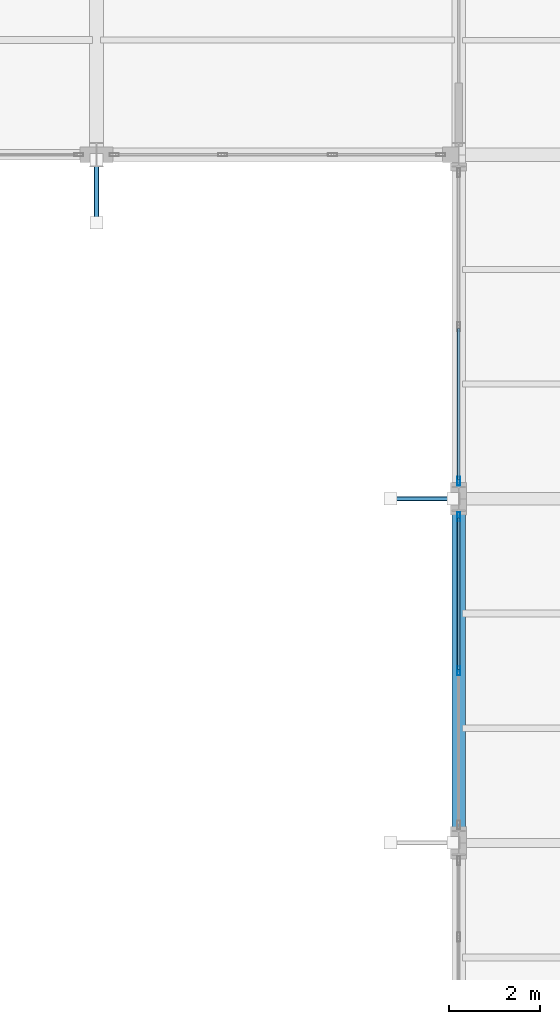
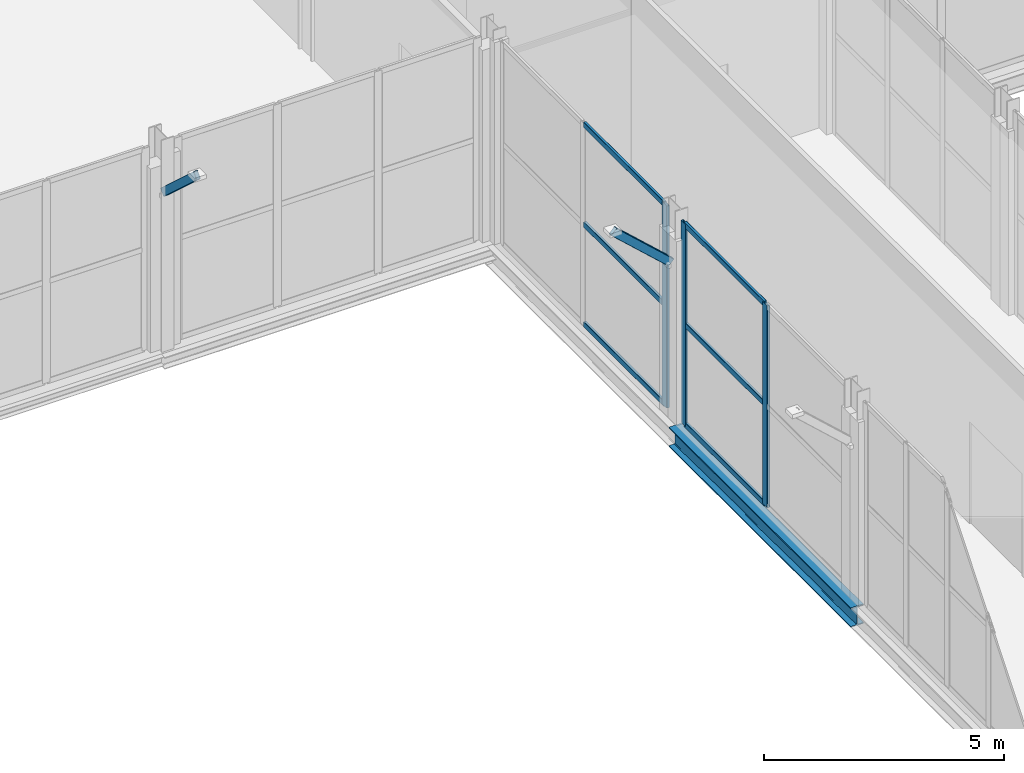
# One storey, part 68 of 147: 11 members, 1 beam, 2 elements without a shape of their own.
"""IFC4 building model written with IfcOpenShell, lengths in metres."""

from ifc_helpers import new_model, si_unit, direction, frame, origin, origin_2d, place, context, subcontext, project, spatial, hollow_rectangle, i_section, extrude, material, layer, layer_set, material_profile, profile_set, type_object, element, aggregate, save


model = new_model("IFC4")

# Units and contexts
model_context = context("Model", 3, precision=1e-05, world=origin(), true_north=direction((0.0, 1.0)))
body_context = subcontext(model_context, "Body", "Model", "MODEL_VIEW")
ifc_project = project(units=[si_unit("LENGTHUNIT", "METRE"), si_unit("AREAUNIT", "SQUARE_METRE"), si_unit("VOLUMEUNIT", "CUBIC_METRE"), si_unit("PLANEANGLEUNIT", "RADIAN"), si_unit("MASSUNIT", "GRAM", prefix="KILO")], contexts=[model_context])

# Site, building, storey
site_placement = place(None, origin())
site = spatial("IfcSite", under=ifc_project, at=site_placement, CompositionType="ELEMENT")
building_placement = place(site_placement, origin())
building = spatial("IfcBuilding", under=site, at=building_placement, Name="Vekula Escarpment Museum", CompositionType="ELEMENT")
storey_placement = place(building_placement, frame((0.0, 0.0, 7.800048828125)))
storey = spatial("IfcBuildingStorey", under=building, at=storey_placement, Name="L02", CompositionType="ELEMENT", Elevation=7.800048828125)

# Beam
ifc_material_1 = material(Name="Steel S355", Category="steel")
ifc_material_profile_1 = material_profile(ifc_material_1, i_section(OverallWidth=0.300048828125, OverallDepth=0.5, WebThickness=0.014404296875, FlangeThickness=0.028076171875, FilletRadius=0.027099609375, at=origin_2d()), Name="HEB 500")
ifc_profile_set_1 = profile_set([ifc_material_profile_1], Name="Steel S355")
beam_type = type_object("IfcBeamType", Name="BM-GIRD-HEB500", PredefinedType="BEAM", material=ifc_profile_set_1)
beam_placement = place(storey_placement, frame((94.0, 105.60009765625, -0.510009765625), z_axis=(0.0, 1.0, 0.0), x_axis=(-1.0, 0.0, 0.0)))
element("IfcBeam", 1, at=beam_placement, inside=storey, type_object=beam_type, Name="Beam Y L02 1164", PredefinedType="BEAM", context=body_context, shape_type="SweptSolid", body=[
    extrude(i_section(OverallWidth=0.300048828125, OverallDepth=0.5, WebThickness=0.014404296875, FlangeThickness=0.028076171875, FilletRadius=0.027099609375, at=origin_2d()), origin(), (0.0, 0.0, 1.0), 7.599853515625),
])

# Curtain wall, member
ifc_material_2 = material(Name="Aluminium thermally broken framing", Category="aluminium")
ifc_layer_1 = layer(ifc_material_2, 0.179931640625)
ifc_layer_set_1 = layer_set([ifc_layer_1], Name="Aluminium thermally broken framing")
curtain_wall_type_1 = type_object("IfcCurtainWallType", Name="CW-SYS-07", PredefinedType="NOTDEFINED", material=ifc_layer_set_1)
curtain_wall_1_placement = place(storey_placement, origin())
curtain_wall_1 = element("IfcCurtainWall", 2, at=curtain_wall_1_placement, inside=storey, type_object=curtain_wall_type_1, Name="Curtain Wall CW-L02-087", PredefinedType="NOTDEFINED")
ifc_material_3 = material(Name="Aluminium anodized mullion", Category="aluminium")
ifc_material_profile_2 = material_profile(ifc_material_3, hollow_rectangle(XDim=0.06494140625, YDim=0.199951171875, WallThickness=0.00390625, InnerFilletRadius=0.00390625, OuterFilletRadius=0.008056640625, at=origin_2d()), Name="ALU 200x65x4")
ifc_profile_set_2 = profile_set([ifc_material_profile_2], Name="Aluminium anodized mullion")
member_type_1 = type_object("IfcMemberType", Name="CW-MUL-200", PredefinedType="MULLION", material=ifc_profile_set_2)
member_1_placement = place(storey_placement, frame((94.0, 113.592529296875, 0.0), z_axis=(0.0, 0.0, 1.0), x_axis=(1.0, 0.0, 0.0)))
member_1 = element("IfcMember", 3, at=member_1_placement, type_object=member_type_1, Name="CW-07 mullion 3", PredefinedType="MULLION", context=body_context, shape_type="SweptSolid", body=[
    extrude(hollow_rectangle(XDim=0.06494140625, YDim=0.199951171875, WallThickness=0.00390625, InnerFilletRadius=0.00390625, OuterFilletRadius=0.008056640625, at=origin_2d()), origin(), (0.0, 0.0, 1.0), 5.14990234375),
])

# Curtain wall, members
ifc_material_4 = material(Name="Aluminium thermally broken framing", Category="aluminium")
ifc_layer_2 = layer(ifc_material_4, 0.179931640625)
ifc_layer_set_2 = layer_set([ifc_layer_2], Name="Aluminium thermally broken framing")
curtain_wall_type_2 = type_object("IfcCurtainWallType", Name="CW-SYS-08", PredefinedType="NOTDEFINED", material=ifc_layer_set_2)
curtain_wall_2_placement = place(storey_placement, origin())
curtain_wall_2 = element("IfcCurtainWall", 4, at=curtain_wall_2_placement, inside=storey, type_object=curtain_wall_type_2, Name="Curtain Wall CW-L02-088", PredefinedType="NOTDEFINED")
member_2_placement = place(storey_placement, frame((94.0, 112.8076171875, 0.0), z_axis=(0.0, 0.0, 1.0), x_axis=(1.0, 0.0, 0.0)))
member_2 = element("IfcMember", 5, at=member_2_placement, type_object=member_type_1, Name="CW-08 mullion 1", PredefinedType="MULLION", context=body_context, shape_type="SweptSolid", body=[
    extrude(hollow_rectangle(XDim=0.06494140625, YDim=0.199951171875, WallThickness=0.00390625, InnerFilletRadius=0.00390625, OuterFilletRadius=0.008056640625, at=origin_2d()), origin(), (0.0, 0.0, 1.0), 5.14990234375),
])
member_3_placement = place(storey_placement, frame((94.0, 109.39990234375, 0.0), z_axis=(0.0, 0.0, 1.0), x_axis=(1.0, 0.0, 0.0)))
member_3 = element("IfcMember", 6, at=member_3_placement, type_object=member_type_1, Name="CW-08 mullion 2", PredefinedType="MULLION", context=body_context, shape_type="SweptSolid", body=[
    extrude(hollow_rectangle(XDim=0.06494140625, YDim=0.199951171875, WallThickness=0.00390625, InnerFilletRadius=0.00390625, OuterFilletRadius=0.008056640625, at=origin_2d()), origin(), (0.0, 0.0, 1.0), 5.14990234375),
])

# Member
ifc_material_5 = material(Name="Aluminium anodized transom", Category="aluminium")
ifc_material_profile_3 = material_profile(ifc_material_5, hollow_rectangle(XDim=0.06494140625, YDim=0.139892578125, WallThickness=0.00390625, InnerFilletRadius=0.00390625, OuterFilletRadius=0.008056640625, at=origin_2d()), Name="ALU 140x65x4")
ifc_profile_set_3 = profile_set([ifc_material_profile_3], Name="Aluminium anodized transom")
member_type_2 = type_object("IfcMemberType", Name="CW-TRN-140", PredefinedType="USERDEFINED", material=ifc_profile_set_3)
member_4_placement = place(storey_placement, frame((94.0, 116.967529296875, 0.032470703125), z_axis=(0.0, -1.0, 0.0), x_axis=(1.0, 0.0, 0.0)))
member_4 = element("IfcMember", 7, at=member_4_placement, type_object=member_type_2, Name="CW-07 transom 2.1", ObjectType="TRANSOM", PredefinedType="USERDEFINED", context=body_context, shape_type="SweptSolid", body=[
    extrude(hollow_rectangle(XDim=0.06494140625, YDim=0.139892578125, WallThickness=0.00390625, InnerFilletRadius=0.00390625, OuterFilletRadius=0.008056640625, at=origin_2d()), origin(), (0.0, 0.0, 1.0), 3.342529296875),
])

member_5_placement = place(storey_placement, frame((94.0, 116.967529296875, 2.574951171875), z_axis=(0.0, -1.0, 0.0), x_axis=(1.0, 0.0, 0.0)))
member_5 = element("IfcMember", 8, at=member_5_placement, type_object=member_type_2, Name="CW-07 transom 2.2", ObjectType="TRANSOM", PredefinedType="USERDEFINED", context=body_context, shape_type="SweptSolid", body=[
    extrude(hollow_rectangle(XDim=0.06494140625, YDim=0.139892578125, WallThickness=0.00390625, InnerFilletRadius=0.00390625, OuterFilletRadius=0.008056640625, at=origin_2d()), origin(), (0.0, 0.0, 1.0), 3.342529296875),
])

member_6_placement = place(storey_placement, frame((94.0, 116.967529296875, 5.117431640625), z_axis=(0.0, -1.0, 0.0), x_axis=(1.0, 0.0, 0.0)))
member_6 = element("IfcMember", 9, at=member_6_placement, type_object=member_type_2, Name="CW-07 transom 2.3", ObjectType="TRANSOM", PredefinedType="USERDEFINED", context=body_context, shape_type="SweptSolid", body=[
    extrude(hollow_rectangle(XDim=0.06494140625, YDim=0.139892578125, WallThickness=0.00390625, InnerFilletRadius=0.00390625, OuterFilletRadius=0.008056640625, at=origin_2d()), origin(), (0.0, 0.0, 1.0), 3.342529296875),
])

aggregate(curtain_wall_1, [member_1, member_4, member_5, member_6])

member_7_placement = place(storey_placement, frame((94.0, 112.77490234375, 0.032470703125), z_axis=(0.0, -1.0, 0.0), x_axis=(1.0, 0.0, 0.0)))
member_7 = element("IfcMember", 10, at=member_7_placement, type_object=member_type_2, Name="CW-08 transom 1.1", ObjectType="TRANSOM", PredefinedType="USERDEFINED", context=body_context, shape_type="SweptSolid", body=[
    extrude(hollow_rectangle(XDim=0.06494140625, YDim=0.139892578125, WallThickness=0.00390625, InnerFilletRadius=0.00390625, OuterFilletRadius=0.008056640625, at=origin_2d()), origin(), (0.0, 0.0, 1.0), 3.34228515625),
])

member_8_placement = place(storey_placement, frame((94.0, 112.77490234375, 2.574951171875), z_axis=(0.0, -1.0, 0.0), x_axis=(1.0, 0.0, 0.0)))
member_8 = element("IfcMember", 11, at=member_8_placement, type_object=member_type_2, Name="CW-08 transom 1.2", ObjectType="TRANSOM", PredefinedType="USERDEFINED", context=body_context, shape_type="SweptSolid", body=[
    extrude(hollow_rectangle(XDim=0.06494140625, YDim=0.139892578125, WallThickness=0.00390625, InnerFilletRadius=0.00390625, OuterFilletRadius=0.008056640625, at=origin_2d()), origin(), (0.0, 0.0, 1.0), 3.34228515625),
])

member_9_placement = place(storey_placement, frame((94.0, 112.77490234375, 5.117431640625), z_axis=(0.0, -1.0, 0.0), x_axis=(1.0, 0.0, 0.0)))
member_9 = element("IfcMember", 12, at=member_9_placement, type_object=member_type_2, Name="CW-08 transom 1.3", ObjectType="TRANSOM", PredefinedType="USERDEFINED", context=body_context, shape_type="SweptSolid", body=[
    extrude(hollow_rectangle(XDim=0.06494140625, YDim=0.139892578125, WallThickness=0.00390625, InnerFilletRadius=0.00390625, OuterFilletRadius=0.008056640625, at=origin_2d()), origin(), (0.0, 0.0, 1.0), 3.34228515625),
])

aggregate(curtain_wall_2, [member_2, member_3, member_7, member_8, member_9])

# Members
ifc_material_6 = material(Name="Steel S355", Category="steel")
ifc_material_profile_4 = material_profile(ifc_material_6, hollow_rectangle(XDim=0.10009765625, YDim=0.199951171875, WallThickness=0.008056640625, InnerFilletRadius=0.008056640625, OuterFilletRadius=0.01611328125, at=origin_2d()), Name="RHS 200x100x8")
ifc_profile_set_4 = profile_set([ifc_material_profile_4], Name="Steel S355")
member_type_3 = type_object("IfcMemberType", Name="MB-SACAK-BRK", PredefinedType="STRUT", material=ifc_profile_set_4)
for number, where, z_axis, x_axis, name in (
    (13, (86.0, 120.679931640625, 3.949951171875), (0.0, -0.738454378718, 0.674303441006), (1.0, 0.0, 0.0), "Ottoman Sacak Eave Bracket L03-0056"),
    (14, (93.8798828125, 113.199951171875, 3.949951171875), (-0.738454378718, 0.0, 0.674303441006), (0.0, -1.0, 0.0), "Ottoman Sacak Eave Bracket L03-0062"),
):
    element("IfcMember", number, at=place(storey_placement, frame(where, z_axis=z_axis, x_axis=x_axis)), inside=storey, type_object=member_type_3, Name=name, PredefinedType="STRUT", context=body_context, shape_type="SweptSolid", body=[
        extrude(hollow_rectangle(XDim=0.10009765625, YDim=0.199951171875, WallThickness=0.008056640625, InnerFilletRadius=0.008056640625, OuterFilletRadius=0.01611328125, at=origin_2d()), origin(), (0.0, 0.0, 1.0), 1.86865234375),
    ])

save(model, "model.ifc")
